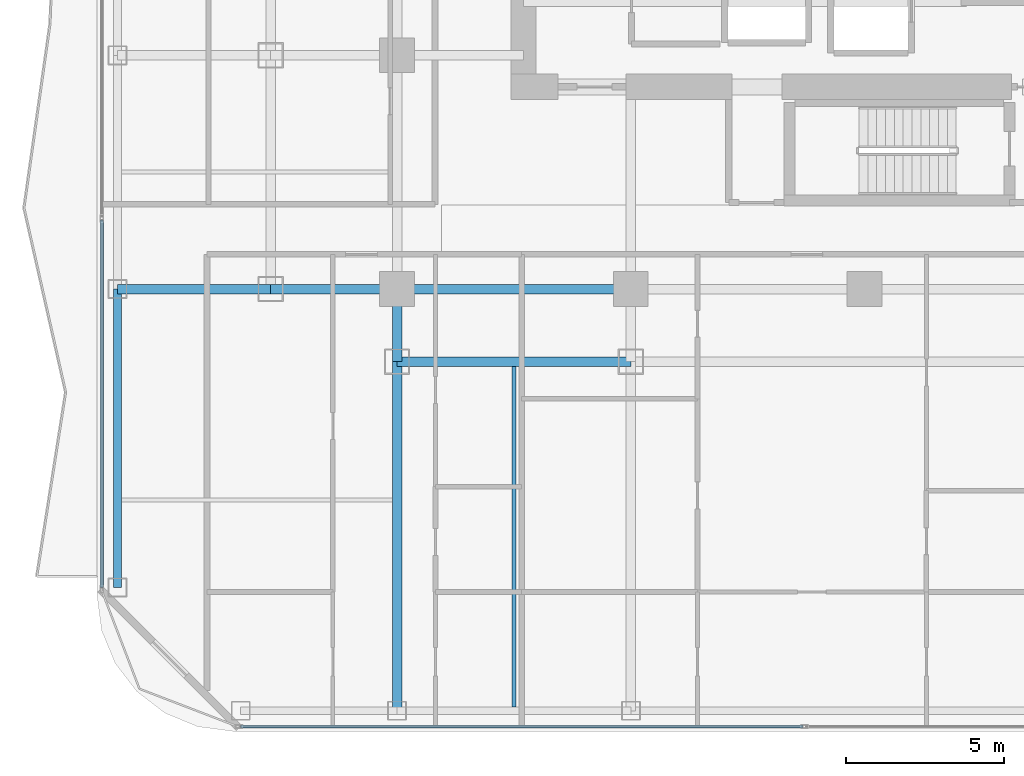
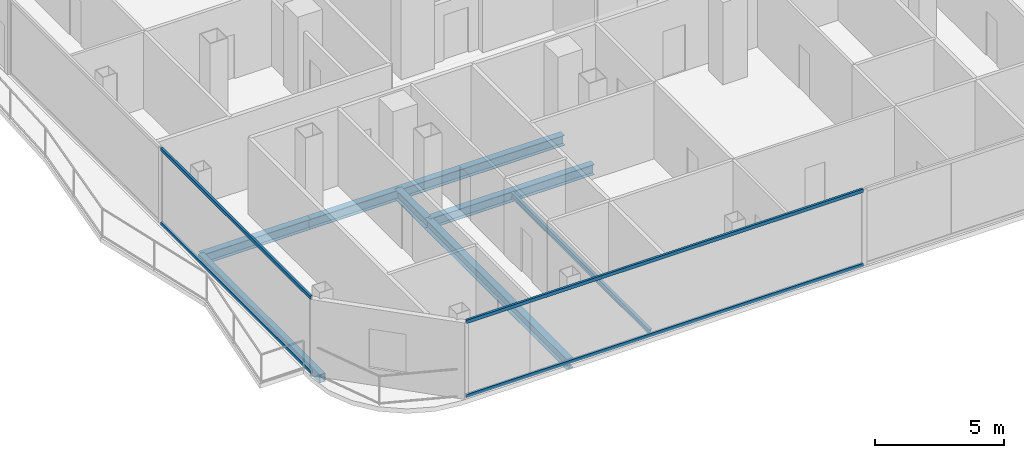
# One storey, part 3 of 23: 8 beams, 4 members, 2 elements without a shape of their own.
"""IFC4 building model written with IfcOpenShell, lengths in metres."""

from ifc_helpers import new_model, si_unit, direction, frame, origin, origin_2d, place, context, subcontext, project, spatial, hollow_rectangle, i_section, extrude, material, layer, layer_set, material_profile, profile_set, type_object, element, aggregate, save


model = new_model("IFC4")

# Units and contexts
model_context = context("Model", 3, precision=1e-05, world=origin(), true_north=direction((0.0, 1.0)))
body_context = subcontext(model_context, "Body", "Model", "MODEL_VIEW")
ifc_project = project(units=[si_unit("LENGTHUNIT", "METRE"), si_unit("AREAUNIT", "SQUARE_METRE"), si_unit("VOLUMEUNIT", "CUBIC_METRE"), si_unit("PLANEANGLEUNIT", "RADIAN"), si_unit("MASSUNIT", "GRAM", prefix="KILO")], contexts=[model_context])

# Site, building, storey
site_placement = place(None, origin())
site = spatial("IfcSite", under=ifc_project, at=site_placement, CompositionType="ELEMENT")
building_placement = place(site_placement, origin())
building = spatial("IfcBuilding", under=site, at=building_placement, Name="Khorvyn Point Tower", CompositionType="ELEMENT")
storey_placement = place(building_placement, frame((0.0, 0.0, 207.0)))
storey = spatial("IfcBuildingStorey", under=building, at=storey_placement, Name="L51", CompositionType="ELEMENT", Elevation=207.0)

# Curtain wall, members
ifc_material_1 = material(Name="Anodised aluminium 6063-T6 and laminated Low-E glass", Category="aluminium")
ifc_layer = layer(ifc_material_1, 0.18994140625)
ifc_layer_set = layer_set([ifc_layer], Name="Stick-Built Acoustic Curtain Wall CW-SYS-03")
curtain_wall_type = type_object("IfcCurtainWallType", Name="Stick-Built Acoustic Curtain Wall CW-SYS-03", PredefinedType="NOTDEFINED", material=ifc_layer_set)
curtain_wall_1_placement = place(storey_placement, origin())
curtain_wall_1 = element("IfcCurtainWall", 1, at=curtain_wall_1_placement, inside=storey, type_object=curtain_wall_type, Name="Curtain Wall", PredefinedType="NOTDEFINED")
ifc_material_2 = material(Name="Anodised aluminium 6063-T6", Category="aluminium")
ifc_material_profile_1 = material_profile(ifc_material_2, hollow_rectangle(XDim=0.10009765625, YDim=0.159912109375, WallThickness=0.00439453125, at=origin_2d()))
ifc_profile_set_1 = profile_set([ifc_material_profile_1], Name="Anodised aluminium 6063-T6 ALU-TRN-100x160")
member_type = type_object("IfcMemberType", Name="Anodised Aluminium 6063-T6 Transom ALU-TRN-100x160", PredefinedType="USERDEFINED", material=ifc_profile_set_1)
member_1_placement = place(storey_placement, frame((-1.949951171875, -28.64990234375, 0.050048828125), z_axis=(-1.0, 0.0, 0.0), x_axis=(0.0, -1.0, 0.0)))
member_1 = element("IfcMember", 2, at=member_1_placement, type_object=member_type, Name="Transom", ObjectType="TRANSOM", PredefinedType="USERDEFINED", context=body_context, shape_type="SweptSolid", body=[
    extrude(hollow_rectangle(XDim=0.10009765625, YDim=0.159912109375, WallThickness=0.00439453125, at=origin_2d()), origin(), (0.0, 0.0, 1.0), 17.800048828125),
])
member_2_placement = place(storey_placement, frame((-1.949951171875, -28.64990234375, 3.570068359375), z_axis=(-1.0, 0.0, 0.0), x_axis=(0.0, -1.0, 0.0)))
member_2 = element("IfcMember", 3, at=member_2_placement, type_object=member_type, Name="Transom", ObjectType="TRANSOM", PredefinedType="USERDEFINED", context=body_context, shape_type="SweptSolid", body=[
    extrude(hollow_rectangle(XDim=0.10009765625, YDim=0.159912109375, WallThickness=0.00439453125, at=origin_2d()), origin(), (0.0, 0.0, 1.0), 17.800048828125),
])
aggregate(curtain_wall_1, [member_1, member_2])

curtain_wall_2_placement = place(storey_placement, origin())
curtain_wall_2 = element("IfcCurtainWall", 4, at=curtain_wall_2_placement, inside=storey, type_object=curtain_wall_type, Name="Curtain Wall", PredefinedType="NOTDEFINED")
member_3_placement = place(storey_placement, frame((-24.14990234375, -24.25, 0.050048828125), z_axis=(0.0, 1.0, 0.0), x_axis=(-1.0, 0.0, 0.0)))
member_3 = element("IfcMember", 5, at=member_3_placement, type_object=member_type, Name="Transom", ObjectType="TRANSOM", PredefinedType="USERDEFINED", context=body_context, shape_type="SweptSolid", body=[
    extrude(hollow_rectangle(XDim=0.10009765625, YDim=0.159912109375, WallThickness=0.00439453125, at=origin_2d()), origin(), (0.0, 0.0, 1.0), 11.633544921875),
])
member_4_placement = place(storey_placement, frame((-24.14990234375, -24.25, 3.570068359375), z_axis=(0.0, 1.0, 0.0), x_axis=(-1.0, 0.0, 0.0)))
member_4 = element("IfcMember", 6, at=member_4_placement, type_object=member_type, Name="Transom", ObjectType="TRANSOM", PredefinedType="USERDEFINED", context=body_context, shape_type="SweptSolid", body=[
    extrude(hollow_rectangle(XDim=0.10009765625, YDim=0.159912109375, WallThickness=0.00439453125, at=origin_2d()), origin(), (0.0, 0.0, 1.0), 11.633544921875),
])
aggregate(curtain_wall_2, [member_3, member_4])

# Beams
ifc_material_3 = material(Name="Steel S355", Category="steel")
ifc_material_profile_2 = material_profile(ifc_material_3, i_section(OverallWidth=0.125, OverallDepth=0.25, WebThickness=0.006103515625, FlangeThickness=0.009033203125, at=origin_2d()))
ifc_profile_set_2 = profile_set([ifc_material_profile_2], Name="Steel S355 H250x125x6x9")
beam_type_1 = type_object("IfcBeamType", Name="Steel S355 Joist H250x125x6x9", PredefinedType="JOIST", material=ifc_profile_set_2)
beam_1_placement = place(storey_placement, frame((-11.10009765625, -28.02490234375, -0.344970703125), z_axis=(0.0, 1.0, 0.0), x_axis=(-1.0, 0.0, 0.0)))
element("IfcBeam", 7, at=beam_1_placement, inside=storey, type_object=beam_type_1, Name="Beam", PredefinedType="JOIST", context=body_context, shape_type="SweptSolid", body=[
    extrude(i_section(OverallWidth=0.125, OverallDepth=0.25, WebThickness=0.006103515625, FlangeThickness=0.009033203125, at=origin_2d()), origin(), (0.0, 0.0, 1.0), 10.77490234375),
])
ifc_material_profile_3 = material_profile(ifc_material_3, i_section(OverallWidth=0.300048828125, OverallDepth=0.488037109375, WebThickness=0.010986328125, FlangeThickness=0.01806640625, at=origin_2d()))
ifc_profile_set_3 = profile_set([ifc_material_profile_3], Name="Steel S355 H488x300x11x18")
beam_type_2 = type_object("IfcBeamType", Name="Steel S355 Spandrel H488x300x11x18", PredefinedType="SPANDREL", material=ifc_profile_set_3)
beam_2_placement = place(storey_placement, frame((-23.64990234375, -14.800048828125, -0.464111328125), z_axis=(1.0, 0.0, 0.0), x_axis=(0.0, 1.0, 0.0)))
element("IfcBeam", 8, at=beam_2_placement, inside=storey, type_object=beam_type_2, Name="Beam", PredefinedType="SPANDREL", context=body_context, shape_type="SweptSolid", body=[
    extrude(i_section(OverallWidth=0.300048828125, OverallDepth=0.488037109375, WebThickness=0.010986328125, FlangeThickness=0.01806640625, at=origin_2d()), origin(), (0.0, 0.0, 1.0), 4.849853515625),
])
beam_3_placement = place(storey_placement, frame((-18.800048828125, -14.800048828125, -0.464111328125), z_axis=(1.0, 0.0, 0.0), x_axis=(0.0, 1.0, 0.0)))
element("IfcBeam", 9, at=beam_3_placement, inside=storey, type_object=beam_type_2, Name="Beam", PredefinedType="SPANDREL", context=body_context, shape_type="SweptSolid", body=[
    extrude(i_section(OverallWidth=0.300048828125, OverallDepth=0.488037109375, WebThickness=0.010986328125, FlangeThickness=0.01806640625, at=origin_2d()), origin(), (0.0, 0.0, 1.0), 4.0),
])
for number, where, z_axis, x_axis, name in (
    (10, (-14.800048828125, -14.800048828125, -0.464111328125), (1.0, 0.0, 0.0), (0.0, 1.0, 0.0), "Beam"),
    (11, (-14.800048828125, -17.10009765625, -0.464111328125), (1.0, 0.0, 0.0), (0.0, 1.0, 0.0), "Beam"),
):
    element("IfcBeam", number, at=place(storey_placement, frame(where, z_axis=z_axis, x_axis=x_axis)), inside=storey, type_object=beam_type_2, Name=name, PredefinedType="SPANDREL", context=body_context, shape_type="SweptSolid", body=[
        extrude(i_section(OverallWidth=0.300048828125, OverallDepth=0.488037109375, WebThickness=0.010986328125, FlangeThickness=0.01806640625, at=origin_2d()), origin(), (0.0, 0.0, 1.0), 7.400146484375),
    ])
beam_4_placement = place(storey_placement, frame((-14.800048828125, -28.14990234375, -0.464111328125), z_axis=(0.0, 1.0, 0.0), x_axis=(-1.0, 0.0, 0.0)))
element("IfcBeam", 12, at=beam_4_placement, inside=storey, type_object=beam_type_2, Name="Beam", PredefinedType="SPANDREL", context=body_context, shape_type="SweptSolid", body=[
    extrude(i_section(OverallWidth=0.300048828125, OverallDepth=0.488037109375, WebThickness=0.010986328125, FlangeThickness=0.01806640625, at=origin_2d()), origin(), (0.0, 0.0, 1.0), 11.0498046875),
])
beam_5_placement = place(storey_placement, frame((-14.800048828125, -17.10009765625, -0.464111328125), z_axis=(0.0, 1.0, 0.0), x_axis=(-1.0, 0.0, 0.0)))
element("IfcBeam", 13, at=beam_5_placement, inside=storey, type_object=beam_type_2, Name="Beam", PredefinedType="SPANDREL", context=body_context, shape_type="SweptSolid", body=[
    extrude(i_section(OverallWidth=0.300048828125, OverallDepth=0.488037109375, WebThickness=0.010986328125, FlangeThickness=0.01806640625, at=origin_2d()), origin(), (0.0, 0.0, 1.0), 2.300048828125),
])
ifc_material_profile_4 = material_profile(ifc_material_3, hollow_rectangle(XDim=0.25, YDim=0.39990234375, WallThickness=0.01611328125, at=origin_2d()))
ifc_profile_set_4 = profile_set([ifc_material_profile_4], Name="Steel S355 RHS400x250x16")
beam_type_3 = type_object("IfcBeamType", Name="Steel S355 Spandrel RHS400x250x16", PredefinedType="SPANDREL", material=ifc_profile_set_4)
beam_6_placement = place(storey_placement, frame((-23.64990234375, -24.25, -0.419921875), z_axis=(0.0, 1.0, 0.0), x_axis=(-1.0, 0.0, 0.0)))
element("IfcBeam", 14, at=beam_6_placement, inside=storey, type_object=beam_type_3, Name="Beam", PredefinedType="SPANDREL", context=body_context, shape_type="SweptSolid", body=[
    extrude(hollow_rectangle(XDim=0.25, YDim=0.39990234375, WallThickness=0.01611328125, at=origin_2d()), origin(), (0.0, 0.0, 1.0), 9.449951171875),
])

save(model, "model.ifc")
